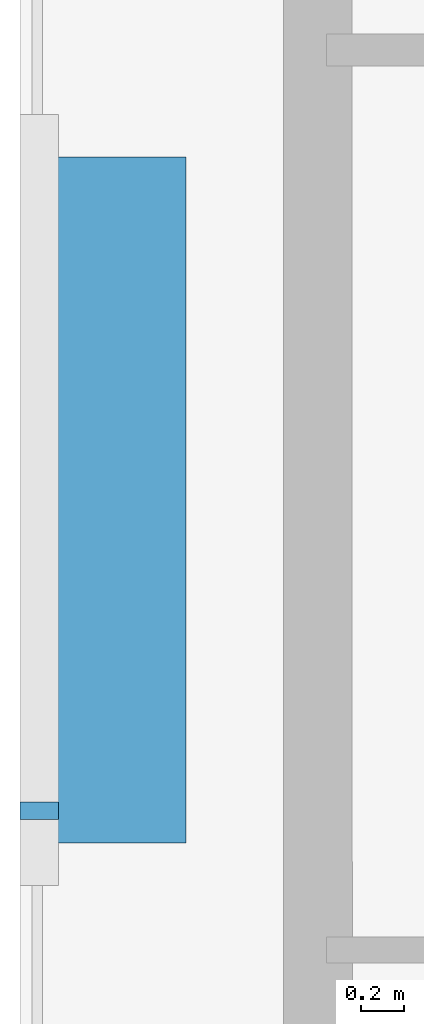
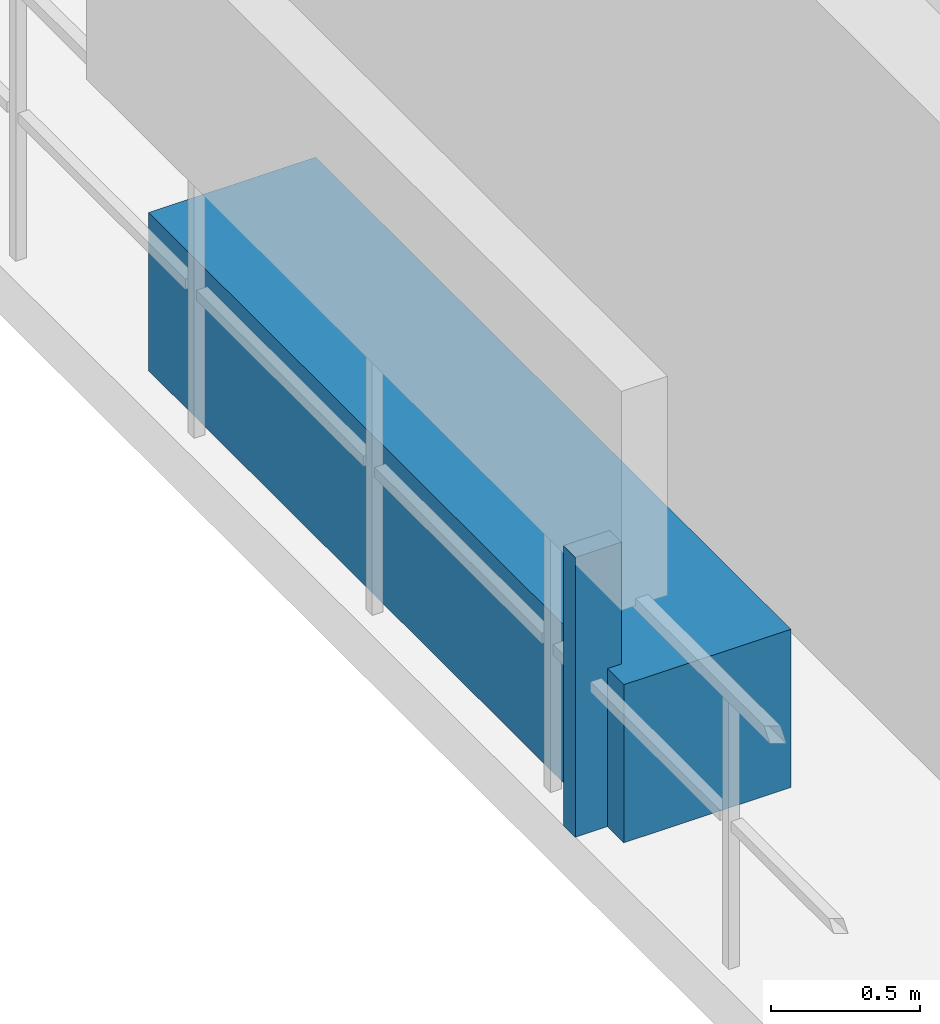
# One storey, part 26 of 31: 2 discrete accessories.
"""IFC4 building model written with IfcOpenShell, lengths in metres."""

import ifcopenshell
import ifcopenshell.guid

model = None  # the IFC model being written
_history = None  # IfcOwnerHistory: only IFC2X3 demands one
_inside = {}  # id of a spatial element -> (the spatial element, [elements in it])
_under = {}  # id of a project, library or spatial element -> (it, [spatial elements below it])
_declared = {}  # id of a project -> (the project, [libraries it declares])
_typed = {}  # id of a type object -> (the type object, [elements of that type])
_made_of = {}  # id of a material, layer set ... -> (it, [elements and type objects made of it])


def new_model(schema):
    """Start an empty IFC model of exactly this schema.

    Asked for "IFC4X3", IfcOpenShell would pick the latest addendum, in which some entities
    have other attributes; the version numbers below select the first issue.
    IFC2X3 requires an IfcOwnerHistory on every rooted entity: one is made here for all.
    """
    global model, _history
    if schema == "IFC4X3":
        model = ifcopenshell.file(schema_version=(4, 3, 0, 0))
    else:
        model = ifcopenshell.file(schema=schema)
    _inside.clear()
    _under.clear()
    _declared.clear()
    _typed.clear()
    _made_of.clear()
    _history = None
    if model.schema == "IFC2X3":
        org = make("IfcOrganization", Name="unknown")
        user = make(
            "IfcPersonAndOrganization",
            ThePerson=make("IfcPerson", FamilyName="unknown"),
            TheOrganization=org,
        )
        app = make(
            "IfcApplication",
            ApplicationDeveloper=org,
            Version="unknown",
            ApplicationFullName="unknown",
            ApplicationIdentifier="unknown",
        )
        _history = make(
            "IfcOwnerHistory",
            OwningUser=user,
            OwningApplication=app,
            ChangeAction="ADDED",
            CreationDate=0,
        )
    return model


def make(cls, **values):
    """One entity of the class cls with the attributes given. An attribute that is None is left unset."""
    return model.create_entity(
        cls, **{name: value for name, value in values.items() if value is not None}
    )


def rooted(cls, **values):
    """An entity with a GlobalId (a new one), such as an element, a storey or a relation."""
    return make(cls, GlobalId=ifcopenshell.guid.new(), OwnerHistory=_history, **values)


def si_unit(unit_type, name, prefix=None):
    """IfcSIUnit, for example si_unit("LENGTHUNIT", "METRE", prefix="MILLI")."""
    return make("IfcSIUnit", UnitType=unit_type, Prefix=prefix, Name=name)


def assignment(units):
    """IfcUnitAssignment: the units of a project."""
    return None if units is None else make("IfcUnitAssignment", Units=units)


def point(xyz):
    """IfcCartesianPoint."""
    return None if xyz is None else make("IfcCartesianPoint", Coordinates=xyz)


def direction(xyz):
    """IfcDirection."""
    return None if xyz is None else make("IfcDirection", DirectionRatios=xyz)


def frame(location, z_axis=None, x_axis=None):
    """IfcAxis2Placement3D, a coordinate frame: its origin and axes. An axis left out is left unset."""
    return make(
        "IfcAxis2Placement3D",
        Location=point(location),
        Axis=direction(z_axis),
        RefDirection=direction(x_axis),
    )


def frame_2d(location, x_axis=None):
    """IfcAxis2Placement2D, a coordinate frame in the plane: its origin and x axis."""
    return make(
        "IfcAxis2Placement2D", Location=point(location), RefDirection=direction(x_axis)
    )


def origin():
    """The frame at (0, 0, 0) with its axes left unset."""
    return frame((0.0, 0.0, 0.0))


def origin_2d():
    """The frame at (0, 0) in the plane with its x axis left unset."""
    return frame_2d((0.0, 0.0))


def place(relative_to, where):
    """IfcLocalPlacement: puts the frame where relative to a parent placement (None: the world)."""
    return make(
        "IfcLocalPlacement", PlacementRelTo=relative_to, RelativePlacement=where
    )


def context(
    kind, dimensions, precision=None, world=None, true_north=None, identifier=None
):
    """IfcGeometricRepresentationContext, for example the 3D "Model" context."""
    return make(
        "IfcGeometricRepresentationContext",
        ContextIdentifier=identifier,
        ContextType=kind,
        CoordinateSpaceDimension=dimensions,
        Precision=precision,
        WorldCoordinateSystem=world,
        TrueNorth=true_north,
    )


def subcontext(parent, identifier, kind, view, scale=None):
    """IfcGeometricRepresentationSubContext, for example "Body" below "Model"."""
    return make(
        "IfcGeometricRepresentationSubContext",
        ContextIdentifier=identifier,
        ContextType=kind,
        ParentContext=parent,
        TargetScale=scale,
        TargetView=view,
    )


def project(units=None, contexts=None):
    """IfcProject with its units and contexts."""
    return rooted(
        "IfcProject",
        Name="project",
        RepresentationContexts=contexts,
        UnitsInContext=assignment(units),
    )


def spatial(cls, under=None, at=None, **own):
    """A site, building, storey or space (cls), placed at a placement, below another one or the project."""
    s = rooted(cls, ObjectPlacement=at, **own)
    if under is not None:
        _under.setdefault(under.id(), (under, []))[1].append(s)
    return s


def profile(cls, at=None, kind="AREA", **sizes):
    """A parametric profile (cls). Its sizes go by their IFC names, for example OverallWidth=200.0."""
    return make(cls, ProfileType=kind, Position=at, **sizes)


def rectangle(**sizes):
    """IfcRectangleProfileDef."""
    return profile("IfcRectangleProfileDef", **sizes)


def extrude(swept, where, along, depth):
    """IfcExtrudedAreaSolid: the profile swept, set in the frame where, extruded along a direction by depth."""
    return make(
        "IfcExtrudedAreaSolid",
        SweptArea=swept,
        Position=where,
        ExtrudedDirection=direction(along),
        Depth=depth,
    )


def shape(context_of_items, identifier, shape_type, items):
    """IfcShapeRepresentation: the items that make up one representation, for example the "Body"."""
    return make(
        "IfcShapeRepresentation",
        ContextOfItems=context_of_items,
        RepresentationIdentifier=identifier,
        RepresentationType=shape_type,
        Items=items,
    )


def material(Name=None, Category=None):
    """IfcMaterial."""
    return make("IfcMaterial", Name=Name, Category=Category)


def made_of(thing, what):
    """Note that an element or type object is made of a material, layer set ...; save() writes the relation."""
    if what is not None:
        _made_of.setdefault(what.id(), (what, []))[1].append(thing)
    return thing


def type_object(cls, material=None, **own):
    """A type object (cls), such as IfcWallType, which elements share."""
    return made_of(rooted(cls, **own), material)


def element(
    cls,
    number,
    at=None,
    inside=None,
    cuts=None,
    type_object=None,
    material=None,
    context=None,
    identifier="Body",
    shape_type=None,
    held_by="IfcProductDefinitionShape",
    body=None,
    shapes=None,
    **own,
):
    """One element of the class cls, such as IfcWall. Its Tag is "e" and its number.

    at: its placement. inside: the storey or other place that contains it. cuts: it is an
    opening in that element (IfcRelVoidsElement). A single representation is given by context,
    identifier, shape_type and body (its items); several are given by shapes. held_by: the class
    of the entity that holds the representations. save() writes the other relations.
    """
    e = rooted(cls, Tag="e%d" % number, ObjectPlacement=at, **own)
    if body is not None:
        shapes = [shape(context, identifier, shape_type, body)]
    if shapes is not None:
        e.Representation = make(held_by, Representations=shapes)
    if inside is not None:
        _inside.setdefault(inside.id(), (inside, []))[1].append(e)
    if cuts is not None:
        rooted(
            "IfcRelVoidsElement", RelatingBuildingElement=cuts, RelatedOpeningElement=e
        )
    if type_object is not None:
        _typed.setdefault(type_object.id(), (type_object, []))[1].append(e)
    return made_of(e, material)


def aggregate(whole, parts):
    """IfcRelAggregates: a whole, such as a stair, and the parts it consists of."""
    return rooted("IfcRelAggregates", RelatingObject=whole, RelatedObjects=parts)


def save(model, path):
    """Write the relations noted so far, then the file.

    IfcRelAggregates (storeys below a building ...), IfcRelContainedInSpatialStructure (elements
    in a storey), IfcRelDefinesByType, IfcRelAssociatesMaterial and IfcRelDeclares: one each for
    every whole, place, type object, material and project.
    """
    for whole, parts in _under.values():
        aggregate(whole, parts)
    for where, things in _inside.values():
        rooted(
            "IfcRelContainedInSpatialStructure",
            RelatedElements=things,
            RelatingStructure=where,
        )
    for kind, things in _typed.values():
        rooted("IfcRelDefinesByType", RelatedObjects=things, RelatingType=kind)
    for what, things in _made_of.values():
        rooted("IfcRelAssociatesMaterial", RelatedObjects=things, RelatingMaterial=what)
    for by, libraries in _declared.values():
        rooted("IfcRelDeclares", RelatingContext=by, RelatedDefinitions=libraries)
    model.write(path)


model = new_model("IFC4")

# Units and contexts
model_context = context("Model", 3, precision=1e-05, world=origin(), true_north=direction((0.0, 1.0)))
body_context = subcontext(model_context, "Body", "Model", "MODEL_VIEW")
ifc_project = project(units=[si_unit("LENGTHUNIT", "METRE"), si_unit("AREAUNIT", "SQUARE_METRE"), si_unit("VOLUMEUNIT", "CUBIC_METRE"), si_unit("PLANEANGLEUNIT", "RADIAN"), si_unit("MASSUNIT", "GRAM", prefix="KILO")], contexts=[model_context])

# Site, building, storey
site_placement = place(None, origin())
site = spatial("IfcSite", under=ifc_project, at=site_placement, CompositionType="ELEMENT")
building_placement = place(site_placement, origin())
building = spatial("IfcBuilding", under=site, at=building_placement, Name="Thornwick Lancets Civic Towers", CompositionType="ELEMENT")
storey_placement = place(building_placement, frame((0.0, 0.0, 236.699951171875)))
storey = spatial("IfcBuildingStorey", under=building, at=storey_placement, Name="L63", CompositionType="ELEMENT", Elevation=236.699951171875)

# Discrete accessories
ifc_material_1 = material(Name="Planted terracotta greenery planter", Category="masonry")
discrete_accessory_type_1 = type_object("IfcDiscreteAccessoryType", Name="ACC_PLANTER_BOX", PredefinedType="USERDEFINED", material=ifc_material_1)
discrete_accessory_1_placement = place(storey_placement, frame((0.800048828125, 27.0, 0.0), z_axis=(0.0, 0.0, 1.0), x_axis=(1.0, 0.0, 0.0)))
element("IfcDiscreteAccessory", 1, at=discrete_accessory_1_placement, inside=storey, type_object=discrete_accessory_type_1, Name="L63 Tower A Balcony Greenery Planter W", ObjectType="PLANTER", PredefinedType="USERDEFINED", context=body_context, shape_type="SweptSolid", body=[
    extrude(rectangle(XDim=0.64990234375, YDim=3.199951171875, at=origin_2d()), origin(), (0.0, 0.0, 1.0), 0.64990234375),
])
ifc_material_2 = material(Name="Stainless steel S355", Category="steel")
discrete_accessory_type_2 = type_object("IfcDiscreteAccessoryType", Name="ACC_SCREEN_BRACKET", PredefinedType="BRACKET", material=ifc_material_2)
discrete_accessory_2_placement = place(storey_placement, frame((0.43994140625, 25.550048828125, 0.0), z_axis=(0.0, 0.0, 1.0), x_axis=(0.0, 1.0, 0.0)))
element("IfcDiscreteAccessory", 2, at=discrete_accessory_2_placement, inside=storey, type_object=discrete_accessory_type_2, Name="L63 Tower A Balcony Screen Stanchion Bracket W-1", PredefinedType="BRACKET", context=body_context, shape_type="SweptSolid", body=[
    extrude(rectangle(XDim=0.080078125, YDim=0.179931640625, at=origin_2d()), origin(), (0.0, 0.0, 1.0), 1.14990234375),
])

save(model, "model.ifc")
